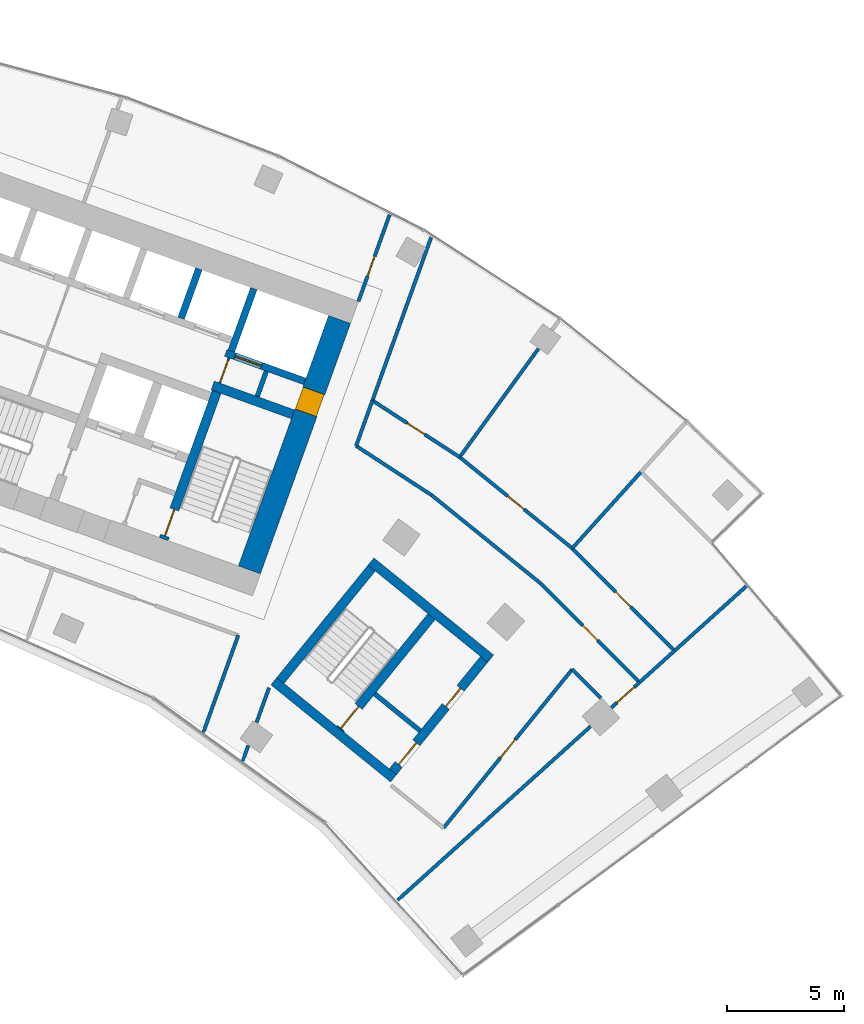
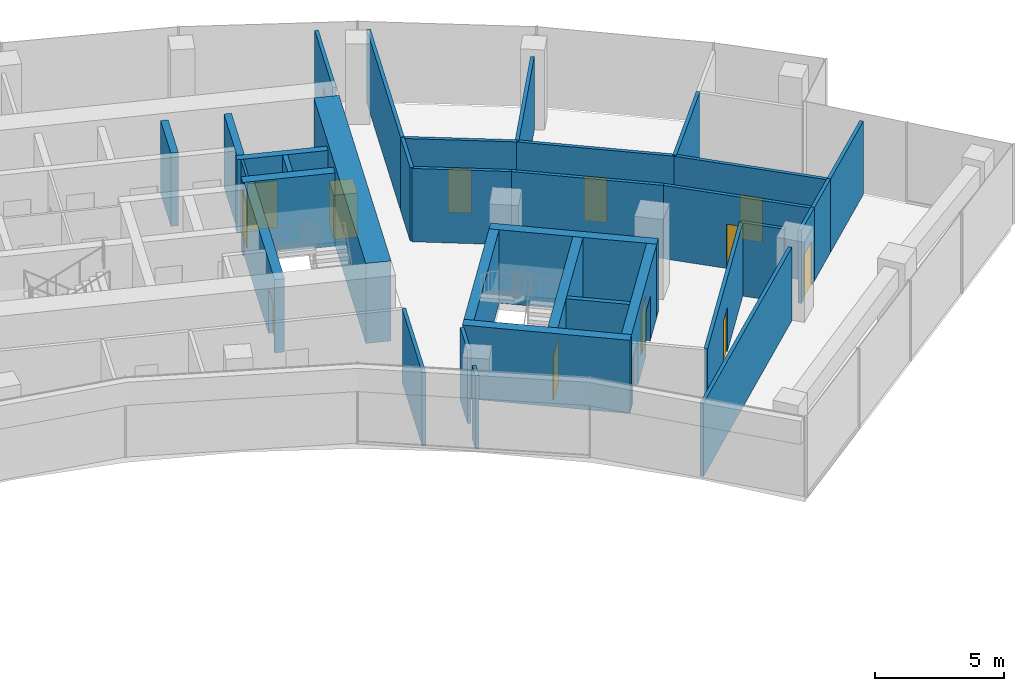
# One storey, part 14 of 16: 34 walls, 14 doors, 14 openings.
"""IFC4 building model written with IfcOpenShell, lengths in metres."""

from ifc_helpers import new_model, si_unit, direction, frame, frame_2d, origin, place, context, subcontext, project, spatial, rectangle, extrude, material, layer, layer_set, type_object, element, fill, save


model = new_model("IFC4")

# Units and contexts
model_context = context("Model", 3, precision=1e-05, world=origin(), true_north=direction((0.0, 1.0)))
body_context = subcontext(model_context, "Body", "Model", "MODEL_VIEW")
ifc_project = project(units=[si_unit("LENGTHUNIT", "METRE"), si_unit("AREAUNIT", "SQUARE_METRE"), si_unit("VOLUMEUNIT", "CUBIC_METRE"), si_unit("PLANEANGLEUNIT", "RADIAN"), si_unit("MASSUNIT", "GRAM", prefix="KILO")], contexts=[model_context])

# Site, building, storey
site_placement = place(None, origin())
site = spatial("IfcSite", under=ifc_project, at=site_placement, CompositionType="ELEMENT")
building_placement = place(site_placement, origin())
building = spatial("IfcBuilding", under=site, at=building_placement, Name="Stone Belt Terrace Tower", CompositionType="ELEMENT")
storey_placement = place(building_placement, frame((0.0, 0.0, 242.800048828125)))
storey = spatial("IfcBuildingStorey", under=building, at=storey_placement, Name="L59", CompositionType="ELEMENT", Elevation=242.800048828125)

# Wall, opening, door
ifc_material_1 = material(Name="Plasterboard partition")
ifc_layer_1 = layer(ifc_material_1, 0.10009765625)
ifc_layer_set_1 = layer_set([ifc_layer_1], Name="Core partition 100")
wall_type_1 = type_object("IfcWallType", Name="Core partition 100", PredefinedType="PARTITIONING", material=ifc_layer_set_1)
wall_1_placement = place(storey_placement, frame((24.555908203125, 51.10400390625, 0.0), z_axis=(0.0, 0.0, 1.0), x_axis=(0.338621735342, 0.94092258999, 0.0)))
wall_1 = element("IfcWall", 1, at=wall_1_placement, inside=storey, type_object=wall_type_1, Name="Core B wall", PredefinedType="PARTITIONING", context=body_context, shape_type="SweptSolid", body=[
    extrude(rectangle(XDim=1.14990234375, YDim=0.10009765625, at=frame_2d((0.574951171875, 0.0))), origin(), (0.0, 0.0, 1.0), 3.47998046875),
])
opening_1_placement = place(wall_1_placement, frame((0.050048828125, 0.0, 0.0)))
opening_1 = element("IfcOpeningElement", 2, at=opening_1_placement, cuts=wall_1, Name="Opening L59-C19", PredefinedType="OPENING", context=body_context, shape_type="SweptSolid", body=[
    extrude(rectangle(XDim=1.0, YDim=2.10009765625, at=frame_2d((0.5, 1.050048828125))), frame((0.0, 0.06005859375, 0.0), z_axis=(0.0, -1.0, 0.0), x_axis=(1.0, 0.0, 0.0)), (0.0, 0.0, 1.0), 0.1201171875),
])
ifc_material_2 = material(Name="Timber door leaf", Category="wood")
door_type_1 = type_object("IfcDoorType", Name="Core room door 1000", OperationType="SINGLE_SWING_LEFT", PredefinedType="DOOR", material=ifc_material_2)
door_1_placement = place(opening_1_placement, origin())
door_1 = element("IfcDoor", 3, at=door_1_placement, inside=storey, type_object=door_type_1, Name="Service lift lobby door core B", OperationType="SINGLE_SWING_RIGHT", OverallHeight=2.10009765625, OverallWidth=1.0, PredefinedType="DOOR", context=body_context, shape_type="SweptSolid", body=[
    extrude(rectangle(XDim=1.0, YDim=2.10009765625, at=frame_2d((0.5, 1.050048828125))), frame((0.0, 0.02490234375, 0.0), z_axis=(0.0, -1.0, 0.0), x_axis=(1.0, 0.0, 0.0)), (0.0, 0.0, 1.0), 0.050048828125),
])
fill(opening_1, door_1)

ifc_material_3 = material(Name="Concrete B60", Category="concrete")
ifc_layer_2 = layer(ifc_material_3, 1.0)
ifc_layer_set_2 = layer_set([ifc_layer_2], Name="Core wall 1000 B60")
wall_type_2 = type_object("IfcWallType", Name="Core wall 1000 B60", PredefinedType="SHEAR", material=ifc_layer_set_2)
wall_2_placement = place(storey_placement, frame((25.821044921875, 43.102783203125, 0.0), z_axis=(0.0, 0.0, 1.0), x_axis=(0.338625431531, 0.940921259788, 0.0)))
wall_2 = element("IfcWall", 4, at=wall_2_placement, inside=storey, type_object=wall_type_2, Name="Core B wall end_b L59", PredefinedType="SHEAR", context=body_context, shape_type="SweptSolid", body=[
    extrude(rectangle(XDim=11.400146484375, YDim=1.0, at=frame_2d((5.7001953125, 0.0))), origin(), (0.0, 0.0, 1.0), 3.800048828125),
])
opening_2_placement = place(wall_2_placement, frame((7.14990234375, 0.0, 0.0)))
opening_2 = element("IfcOpeningElement", 5, at=opening_2_placement, cuts=wall_2, Name="Opening L59-C18", PredefinedType="OPENING", context=body_context, shape_type="SweptSolid", body=[
    extrude(rectangle(XDim=1.0, YDim=2.10009765625, at=frame_2d((0.5, 1.050048828125))), frame((0.0, 0.510009765625, 0.0), z_axis=(0.0, -1.0, 0.0), x_axis=(1.0, 0.0, 0.0)), (0.0, 0.0, 1.0), 1.02001953125),
])
door_2_placement = place(opening_2_placement, origin())
door_2 = element("IfcDoor", 6, at=door_2_placement, inside=storey, type_object=door_type_1, Name="Door to Telecommunications riser room core B", OperationType="SINGLE_SWING_LEFT", OverallHeight=2.10009765625, OverallWidth=1.0, PredefinedType="DOOR", context=body_context, shape_type="SweptSolid", body=[
    extrude(rectangle(XDim=1.0, YDim=2.10009765625, at=frame_2d((0.5, 1.050048828125))), frame((0.0, 0.47998046875, 0.0), z_axis=(0.0, -1.0, 0.0), x_axis=(1.0, 0.0, 0.0)), (0.0, 0.0, 1.0), 0.949951171875),
])
fill(opening_2, door_2)

ifc_material_4 = material(Name="Concrete B80", Category="concrete")
ifc_layer_3 = layer(ifc_material_4, 0.300048828125)
ifc_layer_set_3 = layer_set([ifc_layer_3], Name="Lift shaft wall 300")
wall_type_3 = type_object("IfcWallType", Name="Lift shaft wall 300", PredefinedType="SHEAR", material=ifc_layer_set_3)
wall_3_placement = place(storey_placement, frame((28.195068359375, 51.17578125, 0.0), z_axis=(0.0, 0.0, 1.0), x_axis=(-0.940901243567, 0.338681044427, 0.0)))
wall_3 = element("IfcWall", 7, at=wall_3_placement, inside=storey, type_object=wall_type_3, Name="Core B wall", PredefinedType="SHEAR", context=body_context, shape_type="SweptSolid", body=[
    extrude(rectangle(XDim=3.599853515625, YDim=0.300048828125, at=frame_2d((1.7998046875, 0.0))), origin(), (0.0, 0.0, 1.0), 3.47998046875),
])
opening_3_placement = place(wall_3_placement, frame((1.969970703125, 0.0, 0.0)))
opening_3 = element("IfcOpeningElement", 8, at=opening_3_placement, cuts=wall_3, Name="Opening L59-LD16", PredefinedType="OPENING", context=body_context, shape_type="SweptSolid", body=[
    extrude(rectangle(XDim=1.199951171875, YDim=2.199951171875, at=frame_2d((0.60009765625, 1.10009765625))), frame((0.0, 0.159912109375, 0.0), z_axis=(0.0, -1.0, 0.0), x_axis=(1.0, 0.0, 0.0)), (0.0, 0.0, 1.0), 0.320068359375),
])
ifc_material_5 = material(Name="Stainless steel door leaf", Category="steel")
door_type_2 = type_object("IfcDoorType", Name="Landing door 1200", OperationType="SLIDING_TO_LEFT", PredefinedType="DOOR", material=ifc_material_5)
door_3_placement = place(opening_3_placement, origin())
door_3 = element("IfcDoor", 9, at=door_3_placement, inside=storey, type_object=door_type_2, Name="Landing door SV1 core B", OperationType="SLIDING_TO_LEFT", OverallHeight=2.199951171875, OverallWidth=1.199951171875, PredefinedType="DOOR", context=body_context, shape_type="SweptSolid", body=[
    extrude(rectangle(XDim=1.199951171875, YDim=2.199951171875, at=frame_2d((0.60009765625, 1.10009765625))), frame((0.0, 0.02490234375, 0.0), z_axis=(0.0, -1.0, 0.0), x_axis=(1.0, 0.0, 0.0)), (0.0, 0.0, 1.0), 0.050048828125),
])
fill(opening_3, door_3)

# Walls
wall_4_placement = place(storey_placement, frame((25.046875, 52.46826171875, 0.0), z_axis=(0.0, 0.0, 1.0), x_axis=(0.338549588058, 0.940948551423, 0.0)))
element("IfcWall", 10, at=wall_4_placement, inside=storey, type_object=wall_type_3, Name="Core B wall", PredefinedType="SHEAR", context=body_context, shape_type="SweptSolid", body=[
    extrude(rectangle(XDim=2.849853515625, YDim=0.300048828125, at=frame_2d((1.4248046875, 0.0))), origin(), (0.0, 0.0, 1.0), 3.47998046875),
])
wall_5_placement = place(storey_placement, frame((22.897705078125, 53.87939453125, 0.0), z_axis=(0.0, 0.0, 1.0), x_axis=(0.338535034312, 0.940953787677, 0.0)))
element("IfcWall", 11, at=wall_5_placement, inside=storey, type_object=wall_type_3, Name="Core B wall", PredefinedType="SHEAR", context=body_context, shape_type="SweptSolid", body=[
    extrude(rectangle(XDim=2.25, YDim=0.300048828125, at=frame_2d((1.125, 0.0))), origin(), (0.0, 0.0, 1.0), 3.47998046875),
])
ifc_material_6 = material(Name="Gypsum board partition")
ifc_layer_4 = layer(ifc_material_6, 0.14990234375)
ifc_layer_set_4 = layer_set([ifc_layer_4], Name="PARTITION 150 EI 60")
wall_type_4 = type_object("IfcWallType", Name="PARTITION 150 EI 60", PredefinedType="PARTITIONING", material=ifc_layer_set_4)
wall_6_placement = place(storey_placement, frame((23.84912109375, 36.14697265625, 0.0), z_axis=(0.0, 0.0, 1.0), x_axis=(0.338515990554, 0.940960638996, 0.0)))
element("IfcWall", 12, at=wall_6_placement, inside=storey, type_object=wall_type_4, Name="L59/wall/i022", PredefinedType="PARTITIONING", context=body_context, shape_type="SweptSolid", body=[
    extrude(rectangle(XDim=4.4189453125, YDim=0.14990234375, at=frame_2d((2.20947265625, 0.0))), origin(), (0.0, 0.0, 1.0), 3.47998046875),
])

# Wall, opening, door
wall_7_placement = place(storey_placement, frame((30.490966796875, 54.60107421875, 0.0), z_axis=(0.0, 0.0, 1.0), x_axis=(0.338463192343, 0.940979631782, 0.0)))
wall_7 = element("IfcWall", 13, at=wall_7_placement, inside=storey, type_object=wall_type_4, Name="L59/wall/i023", PredefinedType="PARTITIONING", context=body_context, shape_type="SweptSolid", body=[
    extrude(rectangle(XDim=3.947021484375, YDim=0.14990234375, at=frame_2d((1.9736328125, 0.0))), origin(), (0.0, 0.0, 1.0), 3.47998046875),
])
opening_4_placement = place(wall_7_placement, frame((1.156494140625, 0.0, 0.0)))
opening_4 = element("IfcOpeningElement", 14, at=opening_4_placement, cuts=wall_7, Name="Opening D-D5b-10", PredefinedType="OPENING", context=body_context, shape_type="SweptSolid", body=[
    extrude(rectangle(XDim=0.89990234375, YDim=2.10009765625, at=frame_2d((0.449951171875, 1.050048828125))), frame((0.0, 0.0849609375, 0.0), z_axis=(0.0, -1.0, 0.0), x_axis=(1.0, 0.0, 0.0)), (0.0, 0.0, 1.0), 0.169921875),
])
door_type_3 = type_object("IfcDoorType", Name="OFFICE DOOR 900 X 2100", OperationType="NOTDEFINED", PredefinedType="DOOR", material=ifc_material_2)
door_4_placement = place(opening_4_placement, origin())
door_4 = element("IfcDoor", 15, at=door_4_placement, inside=storey, type_object=door_type_3, Name="L59/door/i10", OperationType="SINGLE_SWING_LEFT", OverallHeight=2.10009765625, OverallWidth=0.89990234375, PredefinedType="DOOR", context=body_context, shape_type="SweptSolid", body=[
    extrude(rectangle(XDim=0.89990234375, YDim=2.10009765625, at=frame_2d((0.449951171875, 1.050048828125))), frame((0.0, 0.02490234375, 0.0), z_axis=(0.0, -1.0, 0.0), x_axis=(1.0, 0.0, 0.0)), (0.0, 0.0, 1.0), 0.050048828125),
])
fill(opening_4, door_4)

# Walls
wall_8_placement = place(storey_placement, frame((26.662109375, 38.055908203125, 0.0), z_axis=(0.0, 0.0, 1.0), x_axis=(-0.338735967395, -0.940881472021, 0.0)))
element("IfcWall", 16, at=wall_8_placement, inside=storey, type_object=wall_type_4, Name="L59/wall/i024", PredefinedType="PARTITIONING", context=body_context, shape_type="SweptSolid", body=[
    extrude(rectangle(XDim=1.572021484375, YDim=0.14990234375, at=frame_2d((0.7861328125, 0.0))), origin(), (0.0, 0.0, 1.0), 3.47998046875),
])
wall_9_placement = place(storey_placement, frame((25.7734375, 35.58740234375, 0.0), z_axis=(0.0, 0.0, 1.0), x_axis=(-0.338743948122, -0.940878598763, 0.0)))
element("IfcWall", 17, at=wall_9_placement, inside=storey, type_object=wall_type_4, Name="L59/wall/i025", PredefinedType="PARTITIONING", context=body_context, shape_type="SweptSolid", body=[
    extrude(rectangle(XDim=0.706298828125, YDim=0.14990234375, at=frame_2d((0.35302734375, 0.0))), origin(), (0.0, 0.0, 1.0), 3.47998046875),
])
wall_10_placement = place(storey_placement, frame((31.091064453125, 50.363037109375, 0.0), z_axis=(0.0, 0.0, 1.0), x_axis=(-0.33830289946, -0.941037272491, 0.0)))
element("IfcWall", 18, at=wall_10_placement, inside=storey, type_object=wall_type_4, Name="L59/wall/i026", PredefinedType="PARTITIONING", context=body_context, shape_type="SweptSolid", body=[
    extrude(rectangle(XDim=2.075439453125, YDim=0.14990234375, at=frame_2d((1.03759765625, 0.0))), origin(), (0.0, 0.0, 1.0), 3.47998046875),
])
wall_11_placement = place(storey_placement, frame((33.60791015625, 57.35498046875, 0.0), z_axis=(0.0, 0.0, 1.0), x_axis=(-0.338596336593, -0.940931730173, 0.0)))
element("IfcWall", 19, at=wall_11_placement, inside=storey, type_object=wall_type_4, Name="L59/wall/i027", PredefinedType="PARTITIONING", context=body_context, shape_type="SweptSolid", body=[
    extrude(rectangle(XDim=7.442626953125, YDim=0.14990234375, at=frame_2d((3.72119140625, 0.0))), origin(), (0.0, 0.0, 1.0), 3.47998046875),
])

# Wall, opening, door
wall_12_placement = place(storey_placement, frame((42.531005859375, 38.2939453125, 0.0), z_axis=(0.0, 0.0, 1.0), x_axis=(-0.743450987947, -0.668790421972, 0.0)))
wall_12 = element("IfcWall", 20, at=wall_12_placement, inside=storey, type_object=wall_type_4, Name="L59/wall/i044", PredefinedType="PARTITIONING", context=body_context, shape_type="SweptSolid", body=[
    extrude(rectangle(XDim=1.625244140625, YDim=0.14990234375, at=frame_2d((0.8125, 0.0))), origin(), (0.0, 0.0, 1.0), 3.47998046875),
])
opening_5_placement = place(wall_12_placement, frame((0.312744140625, 0.0, 0.0)))
opening_5 = element("IfcOpeningElement", 21, at=opening_5_placement, cuts=wall_12, Name="Opening D-D5b-15", PredefinedType="OPENING", context=body_context, shape_type="SweptSolid", body=[
    extrude(rectangle(XDim=1.0, YDim=2.10009765625, at=frame_2d((0.5, 1.050048828125))), frame((0.0, 0.0849609375, 0.0), z_axis=(0.0, -1.0, 0.0), x_axis=(1.0, 0.0, 0.0)), (0.0, 0.0, 1.0), 0.169921875),
])
ifc_material_7 = material(Name="Timber fire door leaf", Category="wood")
door_type_4 = type_object("IfcDoorType", Name="TENANCY ENTRANCE DOOR 1000 X 2100", OperationType="NOTDEFINED", PredefinedType="DOOR", material=ifc_material_7)
door_5_placement = place(opening_5_placement, origin())
door_5 = element("IfcDoor", 22, at=door_5_placement, inside=storey, type_object=door_type_4, Name="L59/door/i15", OperationType="SINGLE_SWING_RIGHT", OverallHeight=2.10009765625, OverallWidth=1.0, PredefinedType="DOOR", context=body_context, shape_type="SweptSolid", body=[
    extrude(rectangle(XDim=1.0, YDim=2.10009765625, at=frame_2d((0.5, 1.050048828125))), frame((0.0, 0.02490234375, 0.0), z_axis=(0.0, -1.0, 0.0), x_axis=(1.0, 0.0, 0.0)), (0.0, 0.0, 1.0), 0.050048828125),
])
fill(opening_5, door_5)

# Walls
wall_13_placement = place(storey_placement, frame((32.1630859375, 28.959716796875, 0.0), z_axis=(0.0, 0.0, 1.0), x_axis=(0.743116100378, 0.669162507437, 0.0)))
element("IfcWall", 23, at=wall_13_placement, inside=storey, type_object=wall_type_4, Name="L59/wall/i045", PredefinedType="PARTITIONING", context=body_context, shape_type="SweptSolid", body=[
    extrude(rectangle(XDim=11.115478515625, YDim=0.14990234375, at=frame_2d((5.5576171875, 0.0))), origin(), (0.0, 0.0, 1.0), 3.47998046875),
])
wall_14_placement = place(storey_placement, frame((42.52197265625, 38.287109375, 0.0), z_axis=(0.0, 0.0, 1.0), x_axis=(0.74306127458, 0.669223387382, 0.0)))
element("IfcWall", 24, at=wall_14_placement, inside=storey, type_object=wall_type_4, Name="L59/wall/i046", PredefinedType="PARTITIONING", context=body_context, shape_type="SweptSolid", body=[
    extrude(rectangle(XDim=2.033447265625, YDim=0.14990234375, at=frame_2d((1.0166015625, 0.0))), origin(), (0.0, 0.0, 1.0), 3.47998046875),
])
wall_15_placement = place(storey_placement, frame((44.02490234375, 39.639892578125, 0.0), z_axis=(0.0, 0.0, 1.0), x_axis=(0.743144572165, 0.66913088769, 0.0)))
element("IfcWall", 25, at=wall_15_placement, inside=storey, type_object=wall_type_4, Name="L59/wall/i047", PredefinedType="PARTITIONING", context=body_context, shape_type="SweptSolid", body=[
    extrude(rectangle(XDim=4.1396484375, YDim=0.14990234375, at=frame_2d((2.06982421875, 0.0))), origin(), (0.0, 0.0, 1.0), 3.47998046875),
])
wall_16_placement = place(storey_placement, frame((40.871826171875, 37.615234375, 0.0), z_axis=(0.0, 0.0, 1.0), x_axis=(-0.707176795224, 0.707036760216, 0.0)))
element("IfcWall", 26, at=wall_16_placement, inside=storey, type_object=wall_type_4, Name="L59/wall/i048", PredefinedType="PARTITIONING", context=body_context, shape_type="SweptSolid", body=[
    extrude(rectangle(XDim=1.743408203125, YDim=0.14990234375, at=frame_2d((0.87158203125, 0.0))), origin(), (0.0, 0.0, 1.0), 3.47998046875),
])
wall_17_placement = place(storey_placement, frame((30.39111328125, 48.4150390625, 0.0), z_axis=(0.0, 0.0, 1.0), x_axis=(0.837265796004, -0.546796110851, 0.0)))
element("IfcWall", 27, at=wall_17_placement, inside=storey, type_object=wall_type_4, Name="L59/wall/i049", PredefinedType="PARTITIONING", context=body_context, shape_type="SweptSolid", body=[
    extrude(rectangle(XDim=3.87548828125, YDim=0.14990234375, at=frame_2d((1.937744140625, 0.0))), origin(), (0.0, 0.0, 1.0), 3.47998046875),
])
wall_18_placement = place(storey_placement, frame((33.635986328125, 46.2958984375, 0.0), z_axis=(0.0, 0.0, 1.0), x_axis=(0.77714422733, -0.629322532513, 0.0)))
element("IfcWall", 28, at=wall_18_placement, inside=storey, type_object=wall_type_4, Name="L59/wall/i050", PredefinedType="PARTITIONING", context=body_context, shape_type="SweptSolid", body=[
    extrude(rectangle(XDim=5.98876953125, YDim=0.14990234375, at=frame_2d((2.994384765625, 0.0))), origin(), (0.0, 0.0, 1.0), 3.47998046875),
])

# Wall, opening, door
wall_19_placement = place(storey_placement, frame((38.291015625, 42.52587890625, 0.0), z_axis=(0.0, 0.0, 1.0), x_axis=(0.707106781187, -0.707106781187, 0.0)))
wall_19 = element("IfcWall", 29, at=wall_19_placement, inside=storey, type_object=wall_type_4, Name="L59/wall/i051", PredefinedType="PARTITIONING", context=body_context, shape_type="SweptSolid", body=[
    extrude(rectangle(XDim=5.989013671875, YDim=0.14990234375, at=frame_2d((2.99462890625, 0.0))), origin(), (0.0, 0.0, 1.0), 3.47998046875),
])
opening_6_placement = place(wall_19_placement, frame((2.544677734375, 0.0, 0.0)))
opening_6 = element("IfcOpeningElement", 30, at=opening_6_placement, cuts=wall_19, Name="Opening D-D5b-17", PredefinedType="OPENING", context=body_context, shape_type="SweptSolid", body=[
    extrude(rectangle(XDim=0.89990234375, YDim=2.10009765625, at=frame_2d((0.449951171875, 1.050048828125))), frame((0.0, 0.0849609375, 0.0), z_axis=(0.0, -1.0, 0.0), x_axis=(1.0, 0.0, 0.0)), (0.0, 0.0, 1.0), 0.169921875),
])
door_6_placement = place(opening_6_placement, origin())
door_6 = element("IfcDoor", 31, at=door_6_placement, inside=storey, type_object=door_type_3, Name="L59/door/i17", OperationType="SINGLE_SWING_RIGHT", OverallHeight=2.10009765625, OverallWidth=0.89990234375, PredefinedType="DOOR", context=body_context, shape_type="SweptSolid", body=[
    extrude(rectangle(XDim=0.89990234375, YDim=2.10009765625, at=frame_2d((0.449951171875, 1.050048828125))), frame((0.0, 0.02490234375, 0.0), z_axis=(0.0, -1.0, 0.0), x_axis=(1.0, 0.0, 0.0)), (0.0, 0.0, 1.0), 0.050048828125),
])
fill(opening_6, door_6)

wall_20_placement = place(storey_placement, frame((34.133056640625, 32.055908203125, 0.0), z_axis=(0.0, 0.0, 1.0), x_axis=(0.630226712005, 0.776411161354, 0.0)))
wall_20 = element("IfcWall", 32, at=wall_20_placement, inside=storey, type_object=wall_type_4, Name="L59/wall/i052", PredefinedType="PARTITIONING", context=body_context, shape_type="SweptSolid", body=[
    extrude(rectangle(XDim=8.742919921875, YDim=0.14990234375, at=frame_2d((4.37158203125, 0.0))), origin(), (0.0, 0.0, 1.0), 3.47998046875),
])
opening_7_placement = place(wall_20_placement, frame((3.871337890625, 0.0, 0.0)))
opening_7 = element("IfcOpeningElement", 33, at=opening_7_placement, cuts=wall_20, Name="Opening D-D5b-16", PredefinedType="OPENING", context=body_context, shape_type="SweptSolid", body=[
    extrude(rectangle(XDim=1.0, YDim=2.10009765625, at=frame_2d((0.5, 1.050048828125))), frame((0.0, 0.0849609375, 0.0), z_axis=(0.0, -1.0, 0.0), x_axis=(1.0, 0.0, 0.0)), (0.0, 0.0, 1.0), 0.169921875),
])
door_7_placement = place(opening_7_placement, origin())
door_7 = element("IfcDoor", 34, at=door_7_placement, inside=storey, type_object=door_type_4, Name="L59/door/i16", OperationType="SINGLE_SWING_RIGHT", OverallHeight=2.10009765625, OverallWidth=1.0, PredefinedType="DOOR", context=body_context, shape_type="SweptSolid", body=[
    extrude(rectangle(XDim=1.0, YDim=2.10009765625, at=frame_2d((0.5, 1.050048828125))), frame((0.0, 0.02490234375, 0.0), z_axis=(0.0, -1.0, 0.0), x_axis=(1.0, 0.0, 0.0)), (0.0, 0.0, 1.0), 0.050048828125),
])
fill(opening_7, door_7)

wall_21_placement = place(storey_placement, frame((31.090087890625, 50.35693359375, 0.0), z_axis=(0.0, 0.0, 1.0), x_axis=(0.838646515126, -0.544676071319, 0.0)))
wall_21 = element("IfcWall", 35, at=wall_21_placement, inside=storey, type_object=wall_type_4, Name="L59/wall/i054", PredefinedType="PARTITIONING", context=body_context, shape_type="SweptSolid", body=[
    extrude(rectangle(XDim=4.452392578125, YDim=0.14990234375, at=frame_2d((2.22607421875, 0.0))), origin(), (0.0, 0.0, 1.0), 3.47998046875),
])
opening_8_placement = place(wall_21_placement, frame((1.776123046875, 0.0, 0.0)))
opening_8 = element("IfcOpeningElement", 36, at=opening_8_placement, cuts=wall_21, Name="Opening D-D5b-18", PredefinedType="OPENING", context=body_context, shape_type="SweptSolid", body=[
    extrude(rectangle(XDim=0.89990234375, YDim=2.10009765625, at=frame_2d((0.449951171875, 1.050048828125))), frame((0.0, 0.0849609375, 0.0), z_axis=(0.0, -1.0, 0.0), x_axis=(1.0, 0.0, 0.0)), (0.0, 0.0, 1.0), 0.169921875),
])
door_8_placement = place(opening_8_placement, origin())
door_8 = element("IfcDoor", 37, at=door_8_placement, inside=storey, type_object=door_type_3, Name="L59/door/i18", OperationType="SINGLE_SWING_RIGHT", OverallHeight=2.10009765625, OverallWidth=0.89990234375, PredefinedType="DOOR", context=body_context, shape_type="SweptSolid", body=[
    extrude(rectangle(XDim=0.89990234375, YDim=2.10009765625, at=frame_2d((0.449951171875, 1.050048828125))), frame((0.0, 0.02490234375, 0.0), z_axis=(0.0, -1.0, 0.0), x_axis=(1.0, 0.0, 0.0)), (0.0, 0.0, 1.0), 0.050048828125),
])
fill(opening_8, door_8)

wall_22_placement = place(storey_placement, frame((34.823974609375, 47.931884765625, 0.0), z_axis=(0.0, 0.0, 1.0), x_axis=(0.777176112755, -0.629283155473, 0.0)))
wall_22 = element("IfcWall", 38, at=wall_22_placement, inside=storey, type_object=wall_type_4, Name="L59/wall/i055", PredefinedType="PARTITIONING", context=body_context, shape_type="SweptSolid", body=[
    extrude(rectangle(XDim=6.2021484375, YDim=0.14990234375, at=frame_2d((3.10107421875, 0.0))), origin(), (0.0, 0.0, 1.0), 3.47998046875),
])
opening_9_placement = place(wall_22_placement, frame((2.651123046875, 0.0, 0.0)))
opening_9 = element("IfcOpeningElement", 39, at=opening_9_placement, cuts=wall_22, Name="Opening D-D5b-19", PredefinedType="OPENING", context=body_context, shape_type="SweptSolid", body=[
    extrude(rectangle(XDim=0.89990234375, YDim=2.10009765625, at=frame_2d((0.449951171875, 1.050048828125))), frame((0.0, 0.0849609375, 0.0), z_axis=(0.0, -1.0, 0.0), x_axis=(1.0, 0.0, 0.0)), (0.0, 0.0, 1.0), 0.169921875),
])
door_9_placement = place(opening_9_placement, origin())
door_9 = element("IfcDoor", 40, at=door_9_placement, inside=storey, type_object=door_type_3, Name="L59/door/i19", OperationType="SINGLE_SWING_RIGHT", OverallHeight=2.10009765625, OverallWidth=0.89990234375, PredefinedType="DOOR", context=body_context, shape_type="SweptSolid", body=[
    extrude(rectangle(XDim=0.89990234375, YDim=2.10009765625, at=frame_2d((0.449951171875, 1.050048828125))), frame((0.0, 0.02490234375, 0.0), z_axis=(0.0, -1.0, 0.0), x_axis=(1.0, 0.0, 0.0)), (0.0, 0.0, 1.0), 0.050048828125),
])
fill(opening_9, door_9)

wall_23_placement = place(storey_placement, frame((39.639892578125, 44.032958984375, 0.0), z_axis=(0.0, 0.0, 1.0), x_axis=(0.707126447351, -0.707087114475, 0.0)))
wall_23 = element("IfcWall", 41, at=wall_23_placement, inside=storey, type_object=wall_type_4, Name="L59/wall/i056", PredefinedType="PARTITIONING", context=body_context, shape_type="SweptSolid", body=[
    extrude(rectangle(XDim=6.20703125, YDim=0.14990234375, at=frame_2d((3.103515625, 0.0))), origin(), (0.0, 0.0, 1.0), 3.47998046875),
])
opening_10_placement = place(wall_23_placement, frame((2.653564453125, 0.0, 0.0)))
opening_10 = element("IfcOpeningElement", 42, at=opening_10_placement, cuts=wall_23, Name="Opening D-D5b-20", PredefinedType="OPENING", context=body_context, shape_type="SweptSolid", body=[
    extrude(rectangle(XDim=0.89990234375, YDim=2.10009765625, at=frame_2d((0.449951171875, 1.050048828125))), frame((0.0, 0.0849609375, 0.0), z_axis=(0.0, -1.0, 0.0), x_axis=(1.0, 0.0, 0.0)), (0.0, 0.0, 1.0), 0.169921875),
])
door_10_placement = place(opening_10_placement, origin())
door_10 = element("IfcDoor", 43, at=door_10_placement, inside=storey, type_object=door_type_3, Name="L59/door/i20", OperationType="SINGLE_SWING_RIGHT", OverallHeight=2.10009765625, OverallWidth=0.89990234375, PredefinedType="DOOR", context=body_context, shape_type="SweptSolid", body=[
    extrude(rectangle(XDim=0.89990234375, YDim=2.10009765625, at=frame_2d((0.449951171875, 1.050048828125))), frame((0.0, 0.02490234375, 0.0), z_axis=(0.0, -1.0, 0.0), x_axis=(1.0, 0.0, 0.0)), (0.0, 0.0, 1.0), 0.050048828125),
])
fill(opening_10, door_10)

# Walls
wall_24_placement = place(storey_placement, frame((38.196533203125, 52.572998046875, 0.0), z_axis=(0.0, 0.0, 1.0), x_axis=(-0.587741422295, -0.809048836918, 0.0)))
element("IfcWall", 44, at=wall_24_placement, inside=storey, type_object=wall_type_4, Name="L59/wall/i058", PredefinedType="PARTITIONING", context=body_context, shape_type="SweptSolid", body=[
    extrude(rectangle(XDim=5.736572265625, YDim=0.14990234375, at=frame_2d((2.8681640625, 0.0))), origin(), (0.0, 0.0, 1.0), 3.47998046875),
])
wall_25_placement = place(storey_placement, frame((42.592041015625, 47.302978515625, 0.0), z_axis=(0.0, 0.0, 1.0), x_axis=(-0.669148410698, -0.743128793992, 0.0)))
element("IfcWall", 45, at=wall_25_placement, inside=storey, type_object=wall_type_4, Name="L59/wall/i059", PredefinedType="PARTITIONING", context=body_context, shape_type="SweptSolid", body=[
    extrude(rectangle(XDim=4.405517578125, YDim=0.14990234375, at=frame_2d((2.20263671875, 0.0))), origin(), (0.0, 0.0, 1.0), 3.47998046875),
])
ifc_material_8 = material(Name="Concrete masonry block", Category="masonry")
ifc_layer_5 = layer(ifc_material_8, 0.199951171875)
ifc_layer_set_5 = layer_set([ifc_layer_5], Name="Rated lobby wall 200")
wall_type_5 = type_object("IfcWallType", Name="Rated lobby wall 200", PredefinedType="PARTITIONING", material=ifc_layer_set_5)
wall_26_placement = place(storey_placement, frame((26.1552734375, 50.5283203125, 0.0), z_axis=(0.0, 0.0, 1.0), x_axis=(0.338621735342, 0.94092258999, 0.0)))
element("IfcWall", 46, at=wall_26_placement, inside=storey, type_object=wall_type_5, Name="Core B wall", PredefinedType="PARTITIONING", context=body_context, shape_type="SweptSolid", body=[
    extrude(rectangle(XDim=1.14990234375, YDim=0.199951171875, at=frame_2d((0.574951171875, 0.0))), origin(), (0.0, 0.0, 1.0), 3.47998046875),
])
wall_27_placement = place(storey_placement, frame((31.190673828125, 37.79296875, 0.0), z_axis=(0.0, 0.0, 1.0), x_axis=(0.776370830301, -0.630276394813, 0.0)))
element("IfcWall", 47, at=wall_27_placement, inside=storey, type_object=wall_type_5, Name="Exit stair ST3B wall", PredefinedType="PARTITIONING", context=body_context, shape_type="SweptSolid", body=[
    extrude(rectangle(XDim=2.5, YDim=0.199951171875, at=frame_2d((1.25, 0.0))), origin(), (0.0, 0.0, 1.0), 3.47998046875),
])
ifc_layer_6 = layer(ifc_material_4, 0.39990234375)
ifc_layer_set_6 = layer_set([ifc_layer_6], Name="Stair enclosure wall 400")
wall_type_6 = type_object("IfcWallType", Name="Stair enclosure wall 400", PredefinedType="SHEAR", material=ifc_layer_set_6)
wall_28_placement = place(storey_placement, frame((27.687255859375, 49.764404296875, 0.0), z_axis=(0.0, 0.0, 1.0), x_axis=(-0.940918954884, 0.338631835981, 0.0)))
element("IfcWall", 48, at=wall_28_placement, inside=storey, type_object=wall_type_6, Name="Core B wall", PredefinedType="SHEAR", context=body_context, shape_type="SweptSolid", body=[
    extrude(rectangle(XDim=3.650146484375, YDim=0.39990234375, at=frame_2d((1.8251953125, 0.0))), origin(), (0.0, 0.0, 1.0), 3.47998046875),
])

# Wall, opening, door
wall_29_placement = place(storey_placement, frame((22.151611328125, 44.42333984375, 0.0), z_axis=(0.0, 0.0, 1.0), x_axis=(0.338625272931, 0.940921316866, 0.0)))
wall_29 = element("IfcWall", 49, at=wall_29_placement, inside=storey, type_object=wall_type_6, Name="Core B wall", PredefinedType="SHEAR", context=body_context, shape_type="SweptSolid", body=[
    extrude(rectangle(XDim=6.699951171875, YDim=0.39990234375, at=frame_2d((3.35009765625, 0.0))), origin(), (0.0, 0.0, 1.0), 3.47998046875),
])
opening_11_placement = place(wall_29_placement, frame((0.14990234375, 0.0, 0.0)))
opening_11 = element("IfcOpeningElement", 50, at=opening_11_placement, cuts=wall_29, Name="Opening L59-C22", PredefinedType="OPENING", context=body_context, shape_type="SweptSolid", body=[
    extrude(rectangle(XDim=1.199951171875, YDim=2.10009765625, at=frame_2d((0.60009765625, 1.050048828125))), frame((0.0, 0.2099609375, 0.0), z_axis=(0.0, -1.0, 0.0), x_axis=(1.0, 0.0, 0.0)), (0.0, 0.0, 1.0), 0.419921875),
])
ifc_material_9 = material(Name="Steel door leaf", Category="steel")
door_type_5 = type_object("IfcDoorType", Name="Stair door 1200", OperationType="SINGLE_SWING_LEFT", PredefinedType="DOOR", material=ifc_material_9)
door_11_placement = place(opening_11_placement, origin())
door_11 = element("IfcDoor", 51, at=door_11_placement, inside=storey, type_object=door_type_5, Name="Stair 1 door core B", OperationType="SINGLE_SWING_RIGHT", OverallHeight=2.10009765625, OverallWidth=1.199951171875, PredefinedType="DOOR", context=body_context, shape_type="SweptSolid", body=[
    extrude(rectangle(XDim=1.199951171875, YDim=2.10009765625, at=frame_2d((0.60009765625, 1.050048828125))), frame((0.0, 0.02490234375, 0.0), z_axis=(0.0, -1.0, 0.0), x_axis=(1.0, 0.0, 0.0)), (0.0, 0.0, 1.0), 0.050048828125),
])
fill(opening_11, door_11)

# Walls
wall_30_placement = place(storey_placement, frame((26.868408203125, 38.3388671875, 0.0), z_axis=(0.0, 0.0, 1.0), x_axis=(0.776428452498, -0.630205409491, 0.0)))
element("IfcWall", 52, at=wall_30_placement, inside=storey, type_object=wall_type_6, Name="Exit stair ST3B wall", PredefinedType="SHEAR", context=body_context, shape_type="SweptSolid", body=[
    extrude(rectangle(XDim=6.60009765625, YDim=0.39990234375, at=frame_2d((3.300048828125, 0.0))), origin(), (0.0, 0.0, 1.0), 3.47998046875),
])
wall_31_placement = place(storey_placement, frame((31.02783203125, 43.46337890625, 0.0), z_axis=(0.0, 0.0, 1.0), x_axis=(0.776413760801, -0.630223509589, 0.0)))
element("IfcWall", 53, at=wall_31_placement, inside=storey, type_object=wall_type_6, Name="Exit stair ST3B wall", PredefinedType="SHEAR", context=body_context, shape_type="SweptSolid", body=[
    extrude(rectangle(XDim=6.599853515625, YDim=0.39990234375, at=frame_2d((3.2998046875, 0.0))), origin(), (0.0, 0.0, 1.0), 3.47998046875),
])
wall_32_placement = place(storey_placement, frame((27.149658203125, 38.3681640625, 0.0), z_axis=(0.0, 0.0, 1.0), x_axis=(0.630211551729, 0.776423466973, 0.0)))
element("IfcWall", 54, at=wall_32_placement, inside=storey, type_object=wall_type_6, Name="Exit stair ST3B wall", PredefinedType="SHEAR", context=body_context, shape_type="SweptSolid", body=[
    extrude(rectangle(XDim=6.199951171875, YDim=0.39990234375, at=frame_2d((3.10009765625, 0.0))), origin(), (0.0, 0.0, 1.0), 3.47998046875),
])

# Wall, openings, doors
wall_33_placement = place(storey_placement, frame((31.963623046875, 34.460693359375, 0.0), z_axis=(0.0, 0.0, 1.0), x_axis=(0.630192283849, 0.776439106033, 0.0)))
wall_33 = element("IfcWall", 55, at=wall_33_placement, inside=storey, type_object=wall_type_6, Name="Exit stair ST3B wall", PredefinedType="SHEAR", context=body_context, shape_type="SweptSolid", body=[
    extrude(rectangle(XDim=6.199951171875, YDim=0.39990234375, at=frame_2d((3.10009765625, 0.0))), origin(), (0.0, 0.0, 1.0), 3.47998046875),
])
opening_12_placement = place(wall_33_placement, frame((0.39990234375, 0.0, 0.0)))
opening_12 = element("IfcOpeningElement", 56, at=opening_12_placement, cuts=wall_33, Name="Opening L59-C30", PredefinedType="OPENING", context=body_context, shape_type="SweptSolid", body=[
    extrude(rectangle(XDim=1.199951171875, YDim=2.10009765625, at=frame_2d((0.60009765625, 1.050048828125))), frame((0.0, 0.2099609375, 0.0), z_axis=(0.0, -1.0, 0.0), x_axis=(1.0, 0.0, 0.0)), (0.0, 0.0, 1.0), 0.419921875),
])
opening_13_placement = place(wall_33_placement, frame((3.60009765625, 0.0, 0.0)))
opening_13 = element("IfcOpeningElement", 57, at=opening_13_placement, cuts=wall_33, Name="Opening L59-C31", PredefinedType="OPENING", context=body_context, shape_type="SweptSolid", body=[
    extrude(rectangle(XDim=1.0, YDim=2.10009765625, at=frame_2d((0.5, 1.050048828125))), frame((0.0, 0.2099609375, 0.0), z_axis=(0.0, -1.0, 0.0), x_axis=(1.0, 0.0, 0.0)), (0.0, 0.0, 1.0), 0.419921875),
])
door_12_placement = place(opening_13_placement, origin())
door_12 = element("IfcDoor", 58, at=door_12_placement, inside=storey, type_object=door_type_1, Name="Door to stair pressurisation plant room ST3B", OperationType="SINGLE_SWING_LEFT", OverallHeight=2.10009765625, OverallWidth=1.0, PredefinedType="DOOR", context=body_context, shape_type="SweptSolid", body=[
    extrude(rectangle(XDim=1.0, YDim=2.10009765625, at=frame_2d((0.5, 1.050048828125))), frame((0.0, 0.02490234375, 0.0), z_axis=(0.0, -1.0, 0.0), x_axis=(1.0, 0.0, 0.0)), (0.0, 0.0, 1.0), 0.050048828125),
])
fill(opening_13, door_12)
door_type_6 = type_object("IfcDoorType", Name="Stair airlock door 1200", OperationType="SINGLE_SWING_LEFT", PredefinedType="DOOR", material=ifc_material_9)
door_13_placement = place(opening_12_placement, origin())
door_13 = element("IfcDoor", 59, at=door_13_placement, inside=storey, type_object=door_type_6, Name="Stair airlock door ST3B", OperationType="SINGLE_SWING_LEFT", OverallHeight=2.10009765625, OverallWidth=1.199951171875, PredefinedType="DOOR", context=body_context, shape_type="SweptSolid", body=[
    extrude(rectangle(XDim=1.199951171875, YDim=2.10009765625, at=frame_2d((0.60009765625, 1.050048828125))), frame((0.0, 0.02490234375, 0.0), z_axis=(0.0, -1.0, 0.0), x_axis=(1.0, 0.0, 0.0)), (0.0, 0.0, 1.0), 0.050048828125),
])
fill(opening_12, door_13)

# Wall, opening, door
wall_34_placement = place(storey_placement, frame((29.7119140625, 36.288330078125, 0.0), z_axis=(0.0, 0.0, 1.0), x_axis=(0.630192283849, 0.776439106033, 0.0)))
wall_34 = element("IfcWall", 60, at=wall_34_placement, inside=storey, type_object=wall_type_6, Name="Exit stair ST3B wall", PredefinedType="SHEAR", context=body_context, shape_type="SweptSolid", body=[
    extrude(rectangle(XDim=6.199951171875, YDim=0.39990234375, at=frame_2d((3.10009765625, 0.0))), origin(), (0.0, 0.0, 1.0), 3.47998046875),
])
opening_14_placement = place(wall_34_placement, frame((0.050048828125, 0.0, 0.0)))
opening_14 = element("IfcOpeningElement", 61, at=opening_14_placement, cuts=wall_34, Name="Opening L59-C29", PredefinedType="OPENING", context=body_context, shape_type="SweptSolid", body=[
    extrude(rectangle(XDim=1.199951171875, YDim=2.10009765625, at=frame_2d((0.60009765625, 1.050048828125))), frame((0.0, 0.2099609375, 0.0), z_axis=(0.0, -1.0, 0.0), x_axis=(1.0, 0.0, 0.0)), (0.0, 0.0, 1.0), 0.419921875),
])
door_14_placement = place(opening_14_placement, origin())
door_14 = element("IfcDoor", 62, at=door_14_placement, inside=storey, type_object=door_type_5, Name="Stair door ST3B", OperationType="SINGLE_SWING_RIGHT", OverallHeight=2.10009765625, OverallWidth=1.199951171875, PredefinedType="DOOR", context=body_context, shape_type="SweptSolid", body=[
    extrude(rectangle(XDim=1.199951171875, YDim=2.10009765625, at=frame_2d((0.60009765625, 1.050048828125))), frame((0.0, 0.02490234375, 0.0), z_axis=(0.0, -1.0, 0.0), x_axis=(1.0, 0.0, 0.0)), (0.0, 0.0, 1.0), 0.050048828125),
])
fill(opening_14, door_14)

save(model, "model.ifc")
